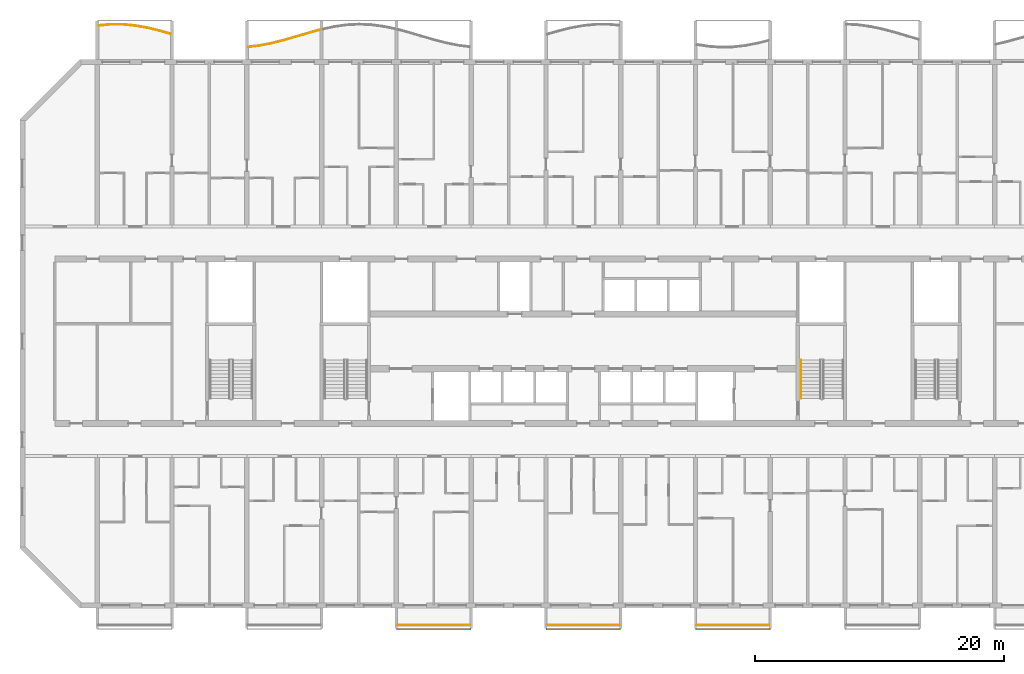
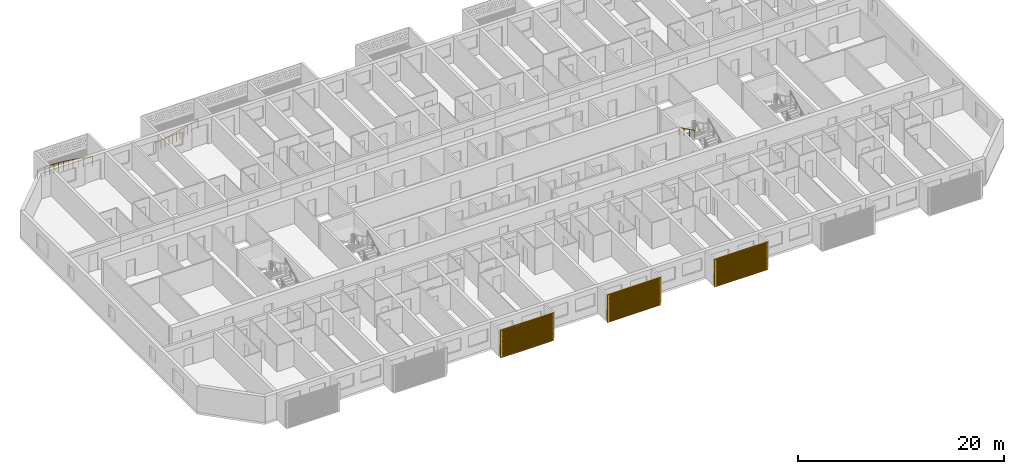
# One storey, part 19 of 29: 6 railings, 3 shading devices.
"""IFC4 building model written with IfcOpenShell, lengths in metres."""

from ifc_helpers import new_model, si_unit, direction, frame, origin, origin_2d, place, context, subcontext, project, spatial, polyline, circle, outline, extrude, source, transform, mapped, material, material_profile, profile_set, type_object, element, save


model = new_model("IFC4")

# Units and contexts
model_context = context("Model", 3, precision=1e-05, world=origin(), true_north=direction((0.0, 1.0)))
body_context = subcontext(model_context, "Body", "Model", "MODEL_VIEW")
ifc_project = project(units=[si_unit("LENGTHUNIT", "METRE"), si_unit("AREAUNIT", "SQUARE_METRE"), si_unit("VOLUMEUNIT", "CUBIC_METRE"), si_unit("PLANEANGLEUNIT", "RADIAN"), si_unit("MASSUNIT", "GRAM", prefix="KILO")], contexts=[model_context])

# Site, building, storey
site_placement = place(None, origin())
site = spatial("IfcSite", under=ifc_project, at=site_placement, CompositionType="ELEMENT")
building_placement = place(site_placement, origin())
building = spatial("IfcBuilding", under=site, at=building_placement, Name="Poui Terraces", CompositionType="ELEMENT")
storey_placement = place(building_placement, frame((0.0, 0.0, 86.10009765625)))
storey = spatial("IfcBuildingStorey", under=building, at=storey_placement, Name="L23", CompositionType="ELEMENT", Elevation=86.10009765625)

# Railings
ifc_material_1 = material(Name="Painted steel fretwork", Category="steel")
railing_type_1 = type_object("IfcRailingType", Name="BALCONY GUARD 1100", PredefinedType="GUARDRAIL", material=ifc_material_1)
railing_1_placement = place(storey_placement, frame((12.125, 46.525390625, 0.0)))
element("IfcRailing", 1, at=railing_1_placement, inside=storey, type_object=railing_type_1, Name="BALCONY GUARD", PredefinedType="GUARDRAIL", context=body_context, shape_type="SweptSolid", body=[
    extrude(circle(Radius=0.02392578125, at=origin_2d()), frame((0.0, 0.0, 1.076171875), z_axis=(0.995787779444, 0.091688048889, 0.0), x_axis=(-0.091688048889, 0.995787779444, 0.0)), (0.0, 0.0, 1.0), 0.878662109375),
    extrude(circle(Radius=0.02392578125, at=origin_2d()), frame((0.875, 0.08056640625, 1.076171875), z_axis=(0.999992370693, 0.003906220198, 0.0), x_axis=(-0.003906220198, 0.999992370693, 0.0)), (0.0, 0.0, 1.0), 1.0),
    extrude(circle(Radius=0.02392578125, at=origin_2d()), frame((1.875, 0.08447265625, 1.076171875), z_axis=(0.995966620108, -0.089724531938, 0.0), x_axis=(0.089724531938, 0.995966620108, 0.0)), (0.0, 0.0, 1.0), 1.004150390625),
    extrude(circle(Radius=0.02392578125, at=origin_2d()), frame((2.875, -0.005615234375, 1.076171875), z_axis=(0.985022299221, -0.172426999156, 0.0), x_axis=(0.172426999156, 0.985022299221, 0.0)), (0.0, 0.0, 1.0), 1.01513671875),
    extrude(circle(Radius=0.02392578125, at=origin_2d()), frame((3.875, -0.1806640625, 1.076171875), z_axis=(0.97195702449, -0.235158547673, 0.0), x_axis=(0.235158547673, 0.97195702449, 0.0)), (0.0, 0.0, 1.0), 1.02880859375),
    extrude(circle(Radius=0.02392578125, at=origin_2d()), frame((4.875, -0.422607421875, 1.076171875), z_axis=(0.962370485881, -0.271740773357, 0.0), x_axis=(0.271740773357, 0.962370485881, 0.0)), (0.0, 0.0, 1.0), 0.9091796875),
    extrude(circle(Radius=0.02099609375, at=origin_2d()), origin(), (0.0, 0.0, 1.0), 1.052001953125),
    extrude(circle(Radius=0.02099609375, at=origin_2d()), frame((0.875, 0.08056640625, 0.0)), (0.0, 0.0, 1.0), 1.052001953125),
    extrude(circle(Radius=0.02099609375, at=origin_2d()), frame((1.375, 0.08251953125, 0.0)), (0.0, 0.0, 1.0), 1.052001953125),
    extrude(circle(Radius=0.02099609375, at=origin_2d()), frame((1.875, 0.08447265625, 0.0)), (0.0, 0.0, 1.0), 1.052001953125),
    extrude(circle(Radius=0.02099609375, at=origin_2d()), frame((2.375, 0.03955078125, 0.0)), (0.0, 0.0, 1.0), 1.052001953125),
    extrude(circle(Radius=0.02099609375, at=origin_2d()), frame((2.875, -0.005615234375, 0.0)), (0.0, 0.0, 1.0), 1.052001953125),
    extrude(circle(Radius=0.02099609375, at=origin_2d()), frame((3.375, -0.09326171875, 0.0)), (0.0, 0.0, 1.0), 1.052001953125),
    extrude(circle(Radius=0.02099609375, at=origin_2d()), frame((3.875, -0.1806640625, 0.0)), (0.0, 0.0, 1.0), 1.052001953125),
    extrude(circle(Radius=0.02099609375, at=origin_2d()), frame((4.375, -0.3017578125, 0.0)), (0.0, 0.0, 1.0), 1.052001953125),
    extrude(circle(Radius=0.02099609375, at=origin_2d()), frame((4.875, -0.422607421875, 0.0)), (0.0, 0.0, 1.0), 1.052001953125),
    extrude(circle(Radius=0.02099609375, at=origin_2d()), frame((5.75, -0.669677734375, 0.0)), (0.0, 0.0, 1.0), 1.052001953125),
])
railing_2_placement = place(storey_placement, frame((24.125, 44.802978515625, 0.0)))
element("IfcRailing", 2, at=railing_2_placement, inside=storey, type_object=railing_type_1, Name="BALCONY GUARD", PredefinedType="GUARDRAIL", context=body_context, shape_type="SweptSolid", body=[
    extrude(circle(Radius=0.02392578125, at=origin_2d()), frame((0.0, 0.0, 1.076171875), z_axis=(0.993074741363, 0.117484288599, 0.0), x_axis=(-0.117484288599, 0.993074741363, 0.0)), (0.0, 0.0, 1.0), 0.881103515625),
    extrude(circle(Radius=0.02392578125, at=origin_2d()), frame((0.875, 0.103515625, 1.076171875), z_axis=(0.981724998512, 0.190305090044, 0.0), x_axis=(-0.190305090044, 0.981724998512, 0.0)), (0.0, 0.0, 1.0), 1.0185546875),
    extrude(circle(Radius=0.02392578125, at=origin_2d()), frame((1.875, 0.29736328125, 1.076171875), z_axis=(0.968962333186, 0.247208407759, 0.0), x_axis=(-0.247208407759, 0.968962333186, 0.0)), (0.0, 0.0, 1.0), 1.031982421875),
    extrude(circle(Radius=0.02392578125, at=origin_2d()), frame((2.875, 0.552490234375, 1.076171875), z_axis=(0.960481812677, 0.278342751867, 0.0), x_axis=(-0.278342751867, 0.960481812677, 0.0)), (0.0, 0.0, 1.0), 1.041259765625),
    extrude(circle(Radius=0.02392578125, at=origin_2d()), frame((3.875, 0.84228515625, 1.076171875), z_axis=(0.959092870386, 0.283091621166, 0.0), x_axis=(-0.283091621166, 0.959092870386, 0.0)), (0.0, 0.0, 1.0), 1.042724609375),
    extrude(circle(Radius=0.02392578125, at=origin_2d()), frame((4.875, 1.137451171875, 1.076171875), z_axis=(0.964863154502, 0.26275291261, 0.0), x_axis=(-0.26275291261, 0.964863154502, 0.0)), (0.0, 0.0, 1.0), 0.906982421875),
    extrude(circle(Radius=0.02099609375, at=origin_2d()), origin(), (0.0, 0.0, 1.0), 1.052001953125),
    extrude(circle(Radius=0.02099609375, at=origin_2d()), frame((0.875, 0.103515625, 0.0)), (0.0, 0.0, 1.0), 1.052001953125),
    extrude(circle(Radius=0.02099609375, at=origin_2d()), frame((1.375, 0.200439453125, 0.0)), (0.0, 0.0, 1.0), 1.052001953125),
    extrude(circle(Radius=0.02099609375, at=origin_2d()), frame((1.875, 0.29736328125, 0.0)), (0.0, 0.0, 1.0), 1.052001953125),
    extrude(circle(Radius=0.02099609375, at=origin_2d()), frame((2.375, 0.4248046875, 0.0)), (0.0, 0.0, 1.0), 1.052001953125),
    extrude(circle(Radius=0.02099609375, at=origin_2d()), frame((2.875, 0.552490234375, 0.0)), (0.0, 0.0, 1.0), 1.052001953125),
    extrude(circle(Radius=0.02099609375, at=origin_2d()), frame((3.375, 0.697265625, 0.0)), (0.0, 0.0, 1.0), 1.052001953125),
    extrude(circle(Radius=0.02099609375, at=origin_2d()), frame((3.875, 0.84228515625, 0.0)), (0.0, 0.0, 1.0), 1.052001953125),
    extrude(circle(Radius=0.02099609375, at=origin_2d()), frame((4.375, 0.98974609375, 0.0)), (0.0, 0.0, 1.0), 1.052001953125),
    extrude(circle(Radius=0.02099609375, at=origin_2d()), frame((4.875, 1.137451171875, 0.0)), (0.0, 0.0, 1.0), 1.052001953125),
    extrude(circle(Radius=0.02099609375, at=origin_2d()), frame((5.75, 1.375732421875, 0.0)), (0.0, 0.0, 1.0), 1.052001953125),
])
for number, where, name in (
    (3, (36.10009765625, -1.570068359375, 0.0), "BALCONY GUARD"),
    (4, (48.10009765625, -1.570068359375, 0.0), "BALCONY GUARD"),
    (5, (60.10009765625, -1.570068359375, 0.0), "BALCONY GUARD"),
):
    element("IfcRailing", number, at=place(storey_placement, frame(where)), inside=storey, type_object=railing_type_1, Name=name, PredefinedType="GUARDRAIL", context=body_context, shape_type="SweptSolid", body=[
        extrude(circle(Radius=0.02392578125, at=origin_2d()), frame((0.0, 0.0, 1.076171875), z_axis=(1.0, 0.0, 0.0), x_axis=(0.0, 1.0, 0.0)), (0.0, 0.0, 1.0), 5.7998046875),
        extrude(circle(Radius=0.02099609375, at=origin_2d()), origin(), (0.0, 0.0, 1.0), 1.052001953125),
        extrude(circle(Radius=0.02099609375, at=origin_2d()), frame((0.966552734375, 0.0, 0.0)), (0.0, 0.0, 1.0), 1.052001953125),
        extrude(circle(Radius=0.02099609375, at=origin_2d()), frame((1.933349609375, 0.0, 0.0)), (0.0, 0.0, 1.0), 1.052001953125),
        extrude(circle(Radius=0.02099609375, at=origin_2d()), frame((2.89990234375, 0.0, 0.0)), (0.0, 0.0, 1.0), 1.052001953125),
        extrude(circle(Radius=0.02099609375, at=origin_2d()), frame((3.866455078125, 0.0, 0.0)), (0.0, 0.0, 1.0), 1.052001953125),
        extrude(circle(Radius=0.02099609375, at=origin_2d()), frame((4.833251953125, 0.0, 0.0)), (0.0, 0.0, 1.0), 1.052001953125),
        extrude(circle(Radius=0.02099609375, at=origin_2d()), frame((5.7998046875, 0.0, 0.0)), (0.0, 0.0, 1.0), 1.052001953125),
    ])
ifc_material_2 = material(Name="Stainless steel handrail", Category="steel")
railing_type_2 = type_object("IfcRailingType", Name="STAIR HANDRAIL 900", PredefinedType="HANDRAIL", material=ifc_material_2)
railing_3_placement = place(storey_placement, frame((68.47509765625, 19.679931640625, 1.787353515625)))
element("IfcRailing", 6, at=railing_3_placement, inside=storey, type_object=railing_type_2, Name="L23 ST-CE stair handrail 2", PredefinedType="HANDRAIL", context=body_context, shape_type="SweptSolid", body=[
    extrude(circle(Radius=0.02392578125, at=origin_2d()), frame((0.0, 0.0, 0.8759765625), z_axis=(0.0, -0.897606190399, 0.440798283751), x_axis=(1.0, 0.0, 0.0)), (0.0, 0.0, 1.0), 3.43115234375),
    extrude(circle(Radius=0.02099609375, at=origin_2d()), origin(), (0.0, 0.0, 1.0), 0.851806640625),
    extrude(circle(Radius=0.02099609375, at=origin_2d()), frame((0.0, -1.026611328125, 0.504150390625)), (0.0, 0.0, 1.0), 0.851806640625),
    extrude(circle(Radius=0.02099609375, at=origin_2d()), frame((0.0, -2.05322265625, 1.00830078125)), (0.0, 0.0, 1.0), 0.851806640625),
    extrude(circle(Radius=0.02099609375, at=origin_2d()), frame((0.0, -3.079833984375, 1.512451171875)), (0.0, 0.0, 1.0), 0.851806640625),
])

# Shading devices
ifc_material_3 = material(Name="Aluminium louvre", Category="aluminium")
ifc_material_profile = material_profile(ifc_material_3, outline(polyline([(-3.0, -1.64990234375), (3.0, -1.64990234375), (3.0, 1.64990234375), (-3.0, 1.64990234375), (-3.0, -1.64990234375)]), holes=[polyline([(-2.800048828125, -1.530029296875), (2.800048828125, -1.530029296875), (2.800048828125, -1.469970703125), (-2.800048828125, -1.469970703125), (-2.800048828125, -1.530029296875)]), polyline([(-2.800048828125, -1.429931640625), (2.800048828125, -1.429931640625), (2.800048828125, -1.3701171875), (-2.800048828125, -1.3701171875), (-2.800048828125, -1.429931640625)]), polyline([(-2.800048828125, -1.330078125), (2.800048828125, -1.330078125), (2.800048828125, -1.27001953125), (-2.800048828125, -1.27001953125), (-2.800048828125, -1.330078125)]), polyline([(-2.800048828125, -1.22998046875), (2.800048828125, -1.22998046875), (2.800048828125, -1.169921875), (-2.800048828125, -1.169921875), (-2.800048828125, -1.22998046875)]), polyline([(-2.800048828125, -1.1298828125), (2.800048828125, -1.1298828125), (2.800048828125, -1.070068359375), (-2.800048828125, -1.070068359375), (-2.800048828125, -1.1298828125)]), polyline([(-2.800048828125, -1.030029296875), (2.800048828125, -1.030029296875), (2.800048828125, -0.969970703125), (-2.800048828125, -0.969970703125), (-2.800048828125, -1.030029296875)]), polyline([(-2.800048828125, -0.929931640625), (2.800048828125, -0.929931640625), (2.800048828125, -0.8701171875), (-2.800048828125, -0.8701171875), (-2.800048828125, -0.929931640625)]), polyline([(-2.800048828125, -0.830078125), (2.800048828125, -0.830078125), (2.800048828125, -0.77001953125), (-2.800048828125, -0.77001953125), (-2.800048828125, -0.830078125)]), polyline([(-2.800048828125, -0.72998046875), (2.800048828125, -0.72998046875), (2.800048828125, -0.669921875), (-2.800048828125, -0.669921875), (-2.800048828125, -0.72998046875)]), polyline([(-2.800048828125, -0.6298828125), (2.800048828125, -0.6298828125), (2.800048828125, -0.570068359375), (-2.800048828125, -0.570068359375), (-2.800048828125, -0.6298828125)]), polyline([(-2.800048828125, -0.530029296875), (2.800048828125, -0.530029296875), (2.800048828125, -0.469970703125), (-2.800048828125, -0.469970703125), (-2.800048828125, -0.530029296875)]), polyline([(-2.800048828125, -0.429931640625), (2.800048828125, -0.429931640625), (2.800048828125, -0.3701171875), (-2.800048828125, -0.3701171875), (-2.800048828125, -0.429931640625)]), polyline([(-2.800048828125, -0.330078125), (2.800048828125, -0.330078125), (2.800048828125, -0.27001953125), (-2.800048828125, -0.27001953125), (-2.800048828125, -0.330078125)]), polyline([(-2.800048828125, -0.22998046875), (2.800048828125, -0.22998046875), (2.800048828125, -0.169921875), (-2.800048828125, -0.169921875), (-2.800048828125, -0.22998046875)]), polyline([(-2.800048828125, -0.1298828125), (2.800048828125, -0.1298828125), (2.800048828125, -0.070068359375), (-2.800048828125, -0.070068359375), (-2.800048828125, -0.1298828125)]), polyline([(-2.800048828125, -0.030029296875), (2.800048828125, -0.030029296875), (2.800048828125, 0.030029296875), (-2.800048828125, 0.030029296875), (-2.800048828125, -0.030029296875)]), polyline([(-2.800048828125, 0.070068359375), (2.800048828125, 0.070068359375), (2.800048828125, 0.1298828125), (-2.800048828125, 0.1298828125), (-2.800048828125, 0.070068359375)]), polyline([(-2.800048828125, 0.169921875), (2.800048828125, 0.169921875), (2.800048828125, 0.22998046875), (-2.800048828125, 0.22998046875), (-2.800048828125, 0.169921875)]), polyline([(-2.800048828125, 0.27001953125), (2.800048828125, 0.27001953125), (2.800048828125, 0.330078125), (-2.800048828125, 0.330078125), (-2.800048828125, 0.27001953125)]), polyline([(-2.800048828125, 0.3701171875), (2.800048828125, 0.3701171875), (2.800048828125, 0.429931640625), (-2.800048828125, 0.429931640625), (-2.800048828125, 0.3701171875)]), polyline([(-2.800048828125, 0.469970703125), (2.800048828125, 0.469970703125), (2.800048828125, 0.530029296875), (-2.800048828125, 0.530029296875), (-2.800048828125, 0.469970703125)]), polyline([(-2.800048828125, 0.570068359375), (2.800048828125, 0.570068359375), (2.800048828125, 0.6298828125), (-2.800048828125, 0.6298828125), (-2.800048828125, 0.570068359375)]), polyline([(-2.800048828125, 0.669921875), (2.800048828125, 0.669921875), (2.800048828125, 0.72998046875), (-2.800048828125, 0.72998046875), (-2.800048828125, 0.669921875)]), polyline([(-2.800048828125, 0.77001953125), (2.800048828125, 0.77001953125), (2.800048828125, 0.830078125), (-2.800048828125, 0.830078125), (-2.800048828125, 0.77001953125)]), polyline([(-2.800048828125, 0.8701171875), (2.800048828125, 0.8701171875), (2.800048828125, 0.929931640625), (-2.800048828125, 0.929931640625), (-2.800048828125, 0.8701171875)]), polyline([(-2.800048828125, 0.969970703125), (2.800048828125, 0.969970703125), (2.800048828125, 1.030029296875), (-2.800048828125, 1.030029296875), (-2.800048828125, 0.969970703125)]), polyline([(-2.800048828125, 1.070068359375), (2.800048828125, 1.070068359375), (2.800048828125, 1.1298828125), (-2.800048828125, 1.1298828125), (-2.800048828125, 1.070068359375)]), polyline([(-2.800048828125, 1.169921875), (2.800048828125, 1.169921875), (2.800048828125, 1.22998046875), (-2.800048828125, 1.22998046875), (-2.800048828125, 1.169921875)]), polyline([(-2.800048828125, 1.27001953125), (2.800048828125, 1.27001953125), (2.800048828125, 1.330078125), (-2.800048828125, 1.330078125), (-2.800048828125, 1.27001953125)]), polyline([(-2.800048828125, 1.3701171875), (2.800048828125, 1.3701171875), (2.800048828125, 1.429931640625), (-2.800048828125, 1.429931640625), (-2.800048828125, 1.3701171875)]), polyline([(-2.800048828125, 1.469970703125), (2.800048828125, 1.469970703125), (2.800048828125, 1.530029296875), (-2.800048828125, 1.530029296875), (-2.800048828125, 1.469970703125)])]), Name="JALOUSIE LOUVRE SHUTTER 6000X3300")
ifc_profile_set = profile_set([ifc_material_profile], Name="Aluminium louvre")
shading_device_type = type_object("IfcShadingDeviceType", Name="JALOUSIE LOUVRE SHUTTER 6000X3300", PredefinedType="JALOUSIE", material=ifc_profile_set)
shared_shape = source(origin(), body_context, "Body", "SweptSolid", [
    extrude(outline(polyline([(-3.0, -1.64990234375), (3.0, -1.64990234375), (3.0, 1.64990234375), (-3.0, 1.64990234375), (-3.0, -1.64990234375)]), holes=[polyline([(-2.800048828125, -1.530029296875), (2.800048828125, -1.530029296875), (2.800048828125, -1.469970703125), (-2.800048828125, -1.469970703125), (-2.800048828125, -1.530029296875)]), polyline([(-2.800048828125, -1.429931640625), (2.800048828125, -1.429931640625), (2.800048828125, -1.3701171875), (-2.800048828125, -1.3701171875), (-2.800048828125, -1.429931640625)]), polyline([(-2.800048828125, -1.330078125), (2.800048828125, -1.330078125), (2.800048828125, -1.27001953125), (-2.800048828125, -1.27001953125), (-2.800048828125, -1.330078125)]), polyline([(-2.800048828125, -1.22998046875), (2.800048828125, -1.22998046875), (2.800048828125, -1.169921875), (-2.800048828125, -1.169921875), (-2.800048828125, -1.22998046875)]), polyline([(-2.800048828125, -1.1298828125), (2.800048828125, -1.1298828125), (2.800048828125, -1.070068359375), (-2.800048828125, -1.070068359375), (-2.800048828125, -1.1298828125)]), polyline([(-2.800048828125, -1.030029296875), (2.800048828125, -1.030029296875), (2.800048828125, -0.969970703125), (-2.800048828125, -0.969970703125), (-2.800048828125, -1.030029296875)]), polyline([(-2.800048828125, -0.929931640625), (2.800048828125, -0.929931640625), (2.800048828125, -0.8701171875), (-2.800048828125, -0.8701171875), (-2.800048828125, -0.929931640625)]), polyline([(-2.800048828125, -0.830078125), (2.800048828125, -0.830078125), (2.800048828125, -0.77001953125), (-2.800048828125, -0.77001953125), (-2.800048828125, -0.830078125)]), polyline([(-2.800048828125, -0.72998046875), (2.800048828125, -0.72998046875), (2.800048828125, -0.669921875), (-2.800048828125, -0.669921875), (-2.800048828125, -0.72998046875)]), polyline([(-2.800048828125, -0.6298828125), (2.800048828125, -0.6298828125), (2.800048828125, -0.570068359375), (-2.800048828125, -0.570068359375), (-2.800048828125, -0.6298828125)]), polyline([(-2.800048828125, -0.530029296875), (2.800048828125, -0.530029296875), (2.800048828125, -0.469970703125), (-2.800048828125, -0.469970703125), (-2.800048828125, -0.530029296875)]), polyline([(-2.800048828125, -0.429931640625), (2.800048828125, -0.429931640625), (2.800048828125, -0.3701171875), (-2.800048828125, -0.3701171875), (-2.800048828125, -0.429931640625)]), polyline([(-2.800048828125, -0.330078125), (2.800048828125, -0.330078125), (2.800048828125, -0.27001953125), (-2.800048828125, -0.27001953125), (-2.800048828125, -0.330078125)]), polyline([(-2.800048828125, -0.22998046875), (2.800048828125, -0.22998046875), (2.800048828125, -0.169921875), (-2.800048828125, -0.169921875), (-2.800048828125, -0.22998046875)]), polyline([(-2.800048828125, -0.1298828125), (2.800048828125, -0.1298828125), (2.800048828125, -0.070068359375), (-2.800048828125, -0.070068359375), (-2.800048828125, -0.1298828125)]), polyline([(-2.800048828125, -0.030029296875), (2.800048828125, -0.030029296875), (2.800048828125, 0.030029296875), (-2.800048828125, 0.030029296875), (-2.800048828125, -0.030029296875)]), polyline([(-2.800048828125, 0.070068359375), (2.800048828125, 0.070068359375), (2.800048828125, 0.1298828125), (-2.800048828125, 0.1298828125), (-2.800048828125, 0.070068359375)]), polyline([(-2.800048828125, 0.169921875), (2.800048828125, 0.169921875), (2.800048828125, 0.22998046875), (-2.800048828125, 0.22998046875), (-2.800048828125, 0.169921875)]), polyline([(-2.800048828125, 0.27001953125), (2.800048828125, 0.27001953125), (2.800048828125, 0.330078125), (-2.800048828125, 0.330078125), (-2.800048828125, 0.27001953125)]), polyline([(-2.800048828125, 0.3701171875), (2.800048828125, 0.3701171875), (2.800048828125, 0.429931640625), (-2.800048828125, 0.429931640625), (-2.800048828125, 0.3701171875)]), polyline([(-2.800048828125, 0.469970703125), (2.800048828125, 0.469970703125), (2.800048828125, 0.530029296875), (-2.800048828125, 0.530029296875), (-2.800048828125, 0.469970703125)]), polyline([(-2.800048828125, 0.570068359375), (2.800048828125, 0.570068359375), (2.800048828125, 0.6298828125), (-2.800048828125, 0.6298828125), (-2.800048828125, 0.570068359375)]), polyline([(-2.800048828125, 0.669921875), (2.800048828125, 0.669921875), (2.800048828125, 0.72998046875), (-2.800048828125, 0.72998046875), (-2.800048828125, 0.669921875)]), polyline([(-2.800048828125, 0.77001953125), (2.800048828125, 0.77001953125), (2.800048828125, 0.830078125), (-2.800048828125, 0.830078125), (-2.800048828125, 0.77001953125)]), polyline([(-2.800048828125, 0.8701171875), (2.800048828125, 0.8701171875), (2.800048828125, 0.929931640625), (-2.800048828125, 0.929931640625), (-2.800048828125, 0.8701171875)]), polyline([(-2.800048828125, 0.969970703125), (2.800048828125, 0.969970703125), (2.800048828125, 1.030029296875), (-2.800048828125, 1.030029296875), (-2.800048828125, 0.969970703125)]), polyline([(-2.800048828125, 1.070068359375), (2.800048828125, 1.070068359375), (2.800048828125, 1.1298828125), (-2.800048828125, 1.1298828125), (-2.800048828125, 1.070068359375)]), polyline([(-2.800048828125, 1.169921875), (2.800048828125, 1.169921875), (2.800048828125, 1.22998046875), (-2.800048828125, 1.22998046875), (-2.800048828125, 1.169921875)]), polyline([(-2.800048828125, 1.27001953125), (2.800048828125, 1.27001953125), (2.800048828125, 1.330078125), (-2.800048828125, 1.330078125), (-2.800048828125, 1.27001953125)]), polyline([(-2.800048828125, 1.3701171875), (2.800048828125, 1.3701171875), (2.800048828125, 1.429931640625), (-2.800048828125, 1.429931640625), (-2.800048828125, 1.3701171875)]), polyline([(-2.800048828125, 1.469970703125), (2.800048828125, 1.469970703125), (2.800048828125, 1.530029296875), (-2.800048828125, 1.530029296875), (-2.800048828125, 1.469970703125)])]), origin(), (0.0, 0.0, 1.0), 0.099853515625),
])
for number, where, z_axis, x_axis, name in (
    (7, (39.0, -1.85009765625, 1.449951171875), (0.0, -1.0, 0.0), (1.0, 0.0, 0.0), "JALOUSIE LOUVRE SHUTTER"),
    (8, (51.0, -1.85009765625, 1.449951171875), (0.0, -1.0, 0.0), (1.0, 0.0, 0.0), "JALOUSIE LOUVRE SHUTTER"),
    (9, (63.0, -1.85009765625, 1.449951171875), (0.0, -1.0, 0.0), (1.0, 0.0, 0.0), "JALOUSIE LOUVRE SHUTTER"),
):
    element("IfcShadingDevice", number, at=place(storey_placement, frame(where, z_axis=z_axis, x_axis=x_axis)), inside=storey, type_object=shading_device_type, Name=name, PredefinedType="JALOUSIE", context=body_context, shape_type="MappedRepresentation", body=[
        mapped(shared_shape, transform((0.0, 0.0, 0.0))),
    ])

save(model, "model.ifc")
